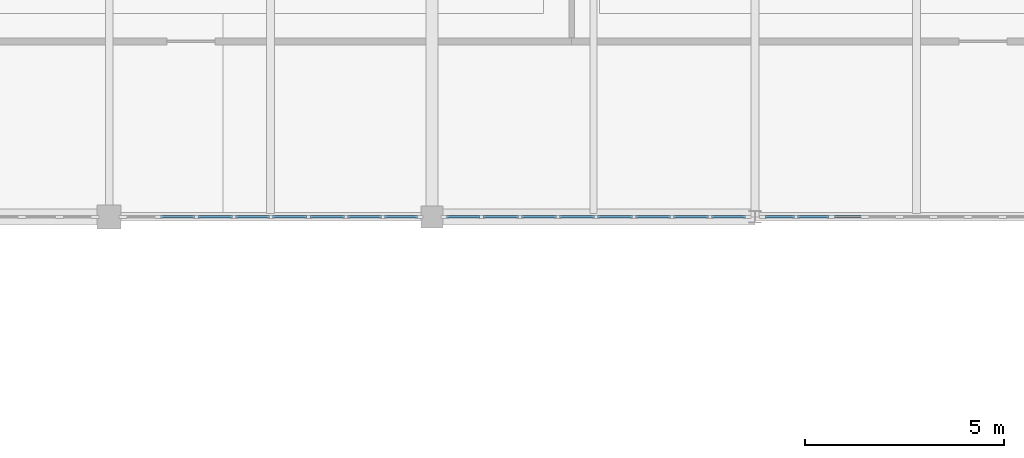
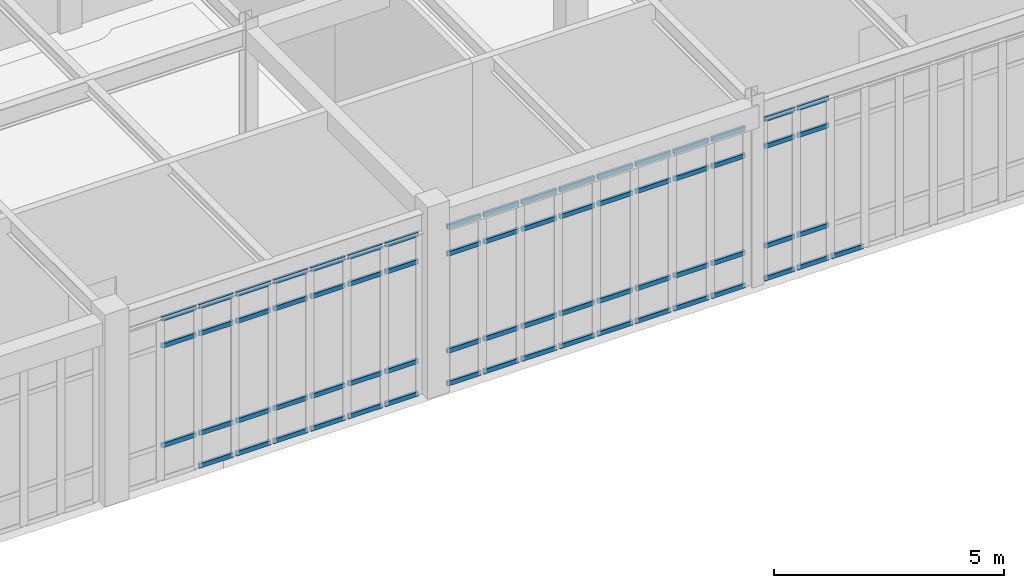
# One storey, part 62 of 107: 68 members, 3 elements without a shape of their own.
"""IFC4 building model written with IfcOpenShell, lengths in metres."""

from ifc_helpers import new_model, si_unit, direction, frame, origin, origin_2d, place, context, subcontext, project, spatial, rectangle, extrude, material, material_profile, profile_set, type_object, element, aggregate, save


model = new_model("IFC4")

# Units and contexts
model_context = context("Model", 3, precision=1e-05, world=origin(), true_north=direction((0.0, 1.0)))
body_context = subcontext(model_context, "Body", "Model", "MODEL_VIEW")
ifc_project = project(units=[si_unit("LENGTHUNIT", "METRE"), si_unit("AREAUNIT", "SQUARE_METRE"), si_unit("VOLUMEUNIT", "CUBIC_METRE"), si_unit("PLANEANGLEUNIT", "RADIAN"), si_unit("MASSUNIT", "GRAM", prefix="KILO")], contexts=[model_context])

# Site, building, storey
site_placement = place(None, origin())
site = spatial("IfcSite", under=ifc_project, at=site_placement, CompositionType="ELEMENT")
building_placement = place(site_placement, origin())
building = spatial("IfcBuilding", under=site, at=building_placement, Name="Tarnveldt Square Police Headquarters", CompositionType="ELEMENT")
storey_placement = place(building_placement, frame((0.0, 0.0, 14.699951171875)))
storey = spatial("IfcBuildingStorey", under=building, at=storey_placement, Name="L03", CompositionType="ELEMENT", Elevation=14.699951171875)

# Curtain wall, members
ifc_material_1 = material(Name="Triple-glazed low-e laminated vision glass", Category="glass")
curtain_wall_type_1 = type_object("IfcCurtainWallType", Name="CW-LB-749x430", PredefinedType="USERDEFINED", material=ifc_material_1)
curtain_wall_1_placement = place(storey_placement, origin())
curtain_wall_1 = element("IfcCurtainWall", 1, at=curtain_wall_1_placement, inside=storey, type_object=curtain_wall_type_1, Name="L03 Curtain Wall CW-L03-122", ObjectType="GLAZED CURTAIN WALL", PredefinedType="USERDEFINED")
ifc_material_2 = material(Name="Thermally broken anodised aluminium 6063-T6", Category="aluminium")
ifc_material_profile = material_profile(ifc_material_2, rectangle(XDim=0.06494140625, YDim=0.1201171875, at=origin_2d()), Name="CW-T65x120")
ifc_profile_set = profile_set([ifc_material_profile], Name="Thermally broken anodised aluminium 6063-T6")
member_type = type_object("IfcMemberType", Name="CWT-65x120", PredefinedType="USERDEFINED", material=ifc_profile_set)
member_1_placement = place(storey_placement, frame((74.189453125, 96.0, 0.900146484375), z_axis=(1.0, 0.0, 0.0), x_axis=(0.0, 1.0, 0.0)))
member_1 = element("IfcMember", 2, at=member_1_placement, type_object=member_type, Name="CW-LB73 transom 2.2", ObjectType="TRANSOM", PredefinedType="USERDEFINED", context=body_context, shape_type="SweptSolid", body=[
    extrude(rectangle(XDim=0.06494140625, YDim=0.1201171875, at=origin_2d()), origin(), (0.0, 0.0, 1.0), 0.86181640625),
])
member_2_placement = place(storey_placement, frame((74.189453125, 96.0, 3.549072265625), z_axis=(1.0, 0.0, 0.0), x_axis=(0.0, 1.0, 0.0)))
member_2 = element("IfcMember", 3, at=member_2_placement, type_object=member_type, Name="CW-LB73 transom 2.3", ObjectType="TRANSOM", PredefinedType="USERDEFINED", context=body_context, shape_type="SweptSolid", body=[
    extrude(rectangle(XDim=0.06494140625, YDim=0.1201171875, at=origin_2d()), origin(), (0.0, 0.0, 1.0), 0.86181640625),
])
member_3_placement = place(storey_placement, frame((74.189453125, 96.0, 4.2666015625), z_axis=(1.0, 0.0, 0.0), x_axis=(0.0, 1.0, 0.0)))
member_3 = element("IfcMember", 4, at=member_3_placement, type_object=member_type, Name="CW-LB73 transom 2.4", ObjectType="TRANSOM", PredefinedType="USERDEFINED", context=body_context, shape_type="SweptSolid", body=[
    extrude(rectangle(XDim=0.06494140625, YDim=0.1201171875, at=origin_2d()), origin(), (0.0, 0.0, 1.0), 0.86181640625),
])
member_4_placement = place(storey_placement, frame((75.126220703125, 96.0, 0.032470703125), z_axis=(1.0, 0.0, 0.0), x_axis=(0.0, 1.0, 0.0)))
member_4 = element("IfcMember", 5, at=member_4_placement, type_object=member_type, Name="CW-LB73 transom 3.1", ObjectType="TRANSOM", PredefinedType="USERDEFINED", context=body_context, shape_type="SweptSolid", body=[
    extrude(rectangle(XDim=0.06494140625, YDim=0.1201171875, at=origin_2d()), origin(), (0.0, 0.0, 1.0), 0.86181640625),
])
member_5_placement = place(storey_placement, frame((75.126220703125, 96.0, 0.900146484375), z_axis=(1.0, 0.0, 0.0), x_axis=(0.0, 1.0, 0.0)))
member_5 = element("IfcMember", 6, at=member_5_placement, type_object=member_type, Name="CW-LB73 transom 3.2", ObjectType="TRANSOM", PredefinedType="USERDEFINED", context=body_context, shape_type="SweptSolid", body=[
    extrude(rectangle(XDim=0.06494140625, YDim=0.1201171875, at=origin_2d()), origin(), (0.0, 0.0, 1.0), 0.86181640625),
])
member_6_placement = place(storey_placement, frame((75.126220703125, 96.0, 3.549072265625), z_axis=(1.0, 0.0, 0.0), x_axis=(0.0, 1.0, 0.0)))
member_6 = element("IfcMember", 7, at=member_6_placement, type_object=member_type, Name="CW-LB73 transom 3.3", ObjectType="TRANSOM", PredefinedType="USERDEFINED", context=body_context, shape_type="SweptSolid", body=[
    extrude(rectangle(XDim=0.06494140625, YDim=0.1201171875, at=origin_2d()), origin(), (0.0, 0.0, 1.0), 0.86181640625),
])
member_7_placement = place(storey_placement, frame((75.126220703125, 96.0, 4.2666015625), z_axis=(1.0, 0.0, 0.0), x_axis=(0.0, 1.0, 0.0)))
member_7 = element("IfcMember", 8, at=member_7_placement, type_object=member_type, Name="CW-LB73 transom 3.4", ObjectType="TRANSOM", PredefinedType="USERDEFINED", context=body_context, shape_type="SweptSolid", body=[
    extrude(rectangle(XDim=0.06494140625, YDim=0.1201171875, at=origin_2d()), origin(), (0.0, 0.0, 1.0), 0.86181640625),
])
member_8_placement = place(storey_placement, frame((76.063232421875, 96.0, 0.032470703125), z_axis=(1.0, 0.0, 0.0), x_axis=(0.0, 1.0, 0.0)))
member_8 = element("IfcMember", 9, at=member_8_placement, type_object=member_type, Name="CW-LB73 transom 4.1", ObjectType="TRANSOM", PredefinedType="USERDEFINED", context=body_context, shape_type="SweptSolid", body=[
    extrude(rectangle(XDim=0.06494140625, YDim=0.1201171875, at=origin_2d()), origin(), (0.0, 0.0, 1.0), 0.86181640625),
])
member_9_placement = place(storey_placement, frame((76.063232421875, 96.0, 0.900146484375), z_axis=(1.0, 0.0, 0.0), x_axis=(0.0, 1.0, 0.0)))
member_9 = element("IfcMember", 10, at=member_9_placement, type_object=member_type, Name="CW-LB73 transom 4.2", ObjectType="TRANSOM", PredefinedType="USERDEFINED", context=body_context, shape_type="SweptSolid", body=[
    extrude(rectangle(XDim=0.06494140625, YDim=0.1201171875, at=origin_2d()), origin(), (0.0, 0.0, 1.0), 0.86181640625),
])
member_10_placement = place(storey_placement, frame((76.063232421875, 96.0, 3.549072265625), z_axis=(1.0, 0.0, 0.0), x_axis=(0.0, 1.0, 0.0)))
member_10 = element("IfcMember", 11, at=member_10_placement, type_object=member_type, Name="CW-LB73 transom 4.3", ObjectType="TRANSOM", PredefinedType="USERDEFINED", context=body_context, shape_type="SweptSolid", body=[
    extrude(rectangle(XDim=0.06494140625, YDim=0.1201171875, at=origin_2d()), origin(), (0.0, 0.0, 1.0), 0.86181640625),
])
member_11_placement = place(storey_placement, frame((76.063232421875, 96.0, 4.2666015625), z_axis=(1.0, 0.0, 0.0), x_axis=(0.0, 1.0, 0.0)))
member_11 = element("IfcMember", 12, at=member_11_placement, type_object=member_type, Name="CW-LB73 transom 4.4", ObjectType="TRANSOM", PredefinedType="USERDEFINED", context=body_context, shape_type="SweptSolid", body=[
    extrude(rectangle(XDim=0.06494140625, YDim=0.1201171875, at=origin_2d()), origin(), (0.0, 0.0, 1.0), 0.86181640625),
])
member_12_placement = place(storey_placement, frame((77.0, 96.0, 0.032470703125), z_axis=(1.0, 0.0, 0.0), x_axis=(0.0, 1.0, 0.0)))
member_12 = element("IfcMember", 13, at=member_12_placement, type_object=member_type, Name="CW-LB73 transom 5.1", ObjectType="TRANSOM", PredefinedType="USERDEFINED", context=body_context, shape_type="SweptSolid", body=[
    extrude(rectangle(XDim=0.06494140625, YDim=0.1201171875, at=origin_2d()), origin(), (0.0, 0.0, 1.0), 0.86181640625),
])
member_13_placement = place(storey_placement, frame((77.0, 96.0, 0.900146484375), z_axis=(1.0, 0.0, 0.0), x_axis=(0.0, 1.0, 0.0)))
member_13 = element("IfcMember", 14, at=member_13_placement, type_object=member_type, Name="CW-LB73 transom 5.2", ObjectType="TRANSOM", PredefinedType="USERDEFINED", context=body_context, shape_type="SweptSolid", body=[
    extrude(rectangle(XDim=0.06494140625, YDim=0.1201171875, at=origin_2d()), origin(), (0.0, 0.0, 1.0), 0.86181640625),
])
member_14_placement = place(storey_placement, frame((77.0, 96.0, 3.549072265625), z_axis=(1.0, 0.0, 0.0), x_axis=(0.0, 1.0, 0.0)))
member_14 = element("IfcMember", 15, at=member_14_placement, type_object=member_type, Name="CW-LB73 transom 5.3", ObjectType="TRANSOM", PredefinedType="USERDEFINED", context=body_context, shape_type="SweptSolid", body=[
    extrude(rectangle(XDim=0.06494140625, YDim=0.1201171875, at=origin_2d()), origin(), (0.0, 0.0, 1.0), 0.86181640625),
])
member_15_placement = place(storey_placement, frame((77.0, 96.0, 4.2666015625), z_axis=(1.0, 0.0, 0.0), x_axis=(0.0, 1.0, 0.0)))
member_15 = element("IfcMember", 16, at=member_15_placement, type_object=member_type, Name="CW-LB73 transom 5.4", ObjectType="TRANSOM", PredefinedType="USERDEFINED", context=body_context, shape_type="SweptSolid", body=[
    extrude(rectangle(XDim=0.06494140625, YDim=0.1201171875, at=origin_2d()), origin(), (0.0, 0.0, 1.0), 0.86181640625),
])
member_16_placement = place(storey_placement, frame((77.936767578125, 96.0, 0.032470703125), z_axis=(1.0, 0.0, 0.0), x_axis=(0.0, 1.0, 0.0)))
member_16 = element("IfcMember", 17, at=member_16_placement, type_object=member_type, Name="CW-LB73 transom 6.1", ObjectType="TRANSOM", PredefinedType="USERDEFINED", context=body_context, shape_type="SweptSolid", body=[
    extrude(rectangle(XDim=0.06494140625, YDim=0.1201171875, at=origin_2d()), origin(), (0.0, 0.0, 1.0), 0.862060546875),
])
member_17_placement = place(storey_placement, frame((77.936767578125, 96.0, 0.900146484375), z_axis=(1.0, 0.0, 0.0), x_axis=(0.0, 1.0, 0.0)))
member_17 = element("IfcMember", 18, at=member_17_placement, type_object=member_type, Name="CW-LB73 transom 6.2", ObjectType="TRANSOM", PredefinedType="USERDEFINED", context=body_context, shape_type="SweptSolid", body=[
    extrude(rectangle(XDim=0.06494140625, YDim=0.1201171875, at=origin_2d()), origin(), (0.0, 0.0, 1.0), 0.862060546875),
])
member_18_placement = place(storey_placement, frame((77.936767578125, 96.0, 3.549072265625), z_axis=(1.0, 0.0, 0.0), x_axis=(0.0, 1.0, 0.0)))
member_18 = element("IfcMember", 19, at=member_18_placement, type_object=member_type, Name="CW-LB73 transom 6.3", ObjectType="TRANSOM", PredefinedType="USERDEFINED", context=body_context, shape_type="SweptSolid", body=[
    extrude(rectangle(XDim=0.06494140625, YDim=0.1201171875, at=origin_2d()), origin(), (0.0, 0.0, 1.0), 0.862060546875),
])
member_19_placement = place(storey_placement, frame((77.936767578125, 96.0, 4.2666015625), z_axis=(1.0, 0.0, 0.0), x_axis=(0.0, 1.0, 0.0)))
member_19 = element("IfcMember", 20, at=member_19_placement, type_object=member_type, Name="CW-LB73 transom 6.4", ObjectType="TRANSOM", PredefinedType="USERDEFINED", context=body_context, shape_type="SweptSolid", body=[
    extrude(rectangle(XDim=0.06494140625, YDim=0.1201171875, at=origin_2d()), origin(), (0.0, 0.0, 1.0), 0.862060546875),
])
member_20_placement = place(storey_placement, frame((78.873779296875, 96.0, 0.032470703125), z_axis=(1.0, 0.0, 0.0), x_axis=(0.0, 1.0, 0.0)))
member_20 = element("IfcMember", 21, at=member_20_placement, type_object=member_type, Name="CW-LB73 transom 7.1", ObjectType="TRANSOM", PredefinedType="USERDEFINED", context=body_context, shape_type="SweptSolid", body=[
    extrude(rectangle(XDim=0.06494140625, YDim=0.1201171875, at=origin_2d()), origin(), (0.0, 0.0, 1.0), 0.86181640625),
])
member_21_placement = place(storey_placement, frame((78.873779296875, 96.0, 0.900146484375), z_axis=(1.0, 0.0, 0.0), x_axis=(0.0, 1.0, 0.0)))
member_21 = element("IfcMember", 22, at=member_21_placement, type_object=member_type, Name="CW-LB73 transom 7.2", ObjectType="TRANSOM", PredefinedType="USERDEFINED", context=body_context, shape_type="SweptSolid", body=[
    extrude(rectangle(XDim=0.06494140625, YDim=0.1201171875, at=origin_2d()), origin(), (0.0, 0.0, 1.0), 0.86181640625),
])
member_22_placement = place(storey_placement, frame((78.873779296875, 96.0, 3.549072265625), z_axis=(1.0, 0.0, 0.0), x_axis=(0.0, 1.0, 0.0)))
member_22 = element("IfcMember", 23, at=member_22_placement, type_object=member_type, Name="CW-LB73 transom 7.3", ObjectType="TRANSOM", PredefinedType="USERDEFINED", context=body_context, shape_type="SweptSolid", body=[
    extrude(rectangle(XDim=0.06494140625, YDim=0.1201171875, at=origin_2d()), origin(), (0.0, 0.0, 1.0), 0.86181640625),
])
member_23_placement = place(storey_placement, frame((78.873779296875, 96.0, 4.2666015625), z_axis=(1.0, 0.0, 0.0), x_axis=(0.0, 1.0, 0.0)))
member_23 = element("IfcMember", 24, at=member_23_placement, type_object=member_type, Name="CW-LB73 transom 7.4", ObjectType="TRANSOM", PredefinedType="USERDEFINED", context=body_context, shape_type="SweptSolid", body=[
    extrude(rectangle(XDim=0.06494140625, YDim=0.1201171875, at=origin_2d()), origin(), (0.0, 0.0, 1.0), 0.86181640625),
])
member_24_placement = place(storey_placement, frame((79.810546875, 96.0, 0.032470703125), z_axis=(1.0, 0.0, 0.0), x_axis=(0.0, 1.0, 0.0)))
member_24 = element("IfcMember", 25, at=member_24_placement, type_object=member_type, Name="CW-LB73 transom 8.1", ObjectType="TRANSOM", PredefinedType="USERDEFINED", context=body_context, shape_type="SweptSolid", body=[
    extrude(rectangle(XDim=0.06494140625, YDim=0.1201171875, at=origin_2d()), origin(), (0.0, 0.0, 1.0), 0.824462890625),
])
member_25_placement = place(storey_placement, frame((79.810546875, 96.0, 0.900146484375), z_axis=(1.0, 0.0, 0.0), x_axis=(0.0, 1.0, 0.0)))
member_25 = element("IfcMember", 26, at=member_25_placement, type_object=member_type, Name="CW-LB73 transom 8.2", ObjectType="TRANSOM", PredefinedType="USERDEFINED", context=body_context, shape_type="SweptSolid", body=[
    extrude(rectangle(XDim=0.06494140625, YDim=0.1201171875, at=origin_2d()), origin(), (0.0, 0.0, 1.0), 0.824462890625),
])
member_26_placement = place(storey_placement, frame((79.810546875, 96.0, 3.549072265625), z_axis=(1.0, 0.0, 0.0), x_axis=(0.0, 1.0, 0.0)))
member_26 = element("IfcMember", 27, at=member_26_placement, type_object=member_type, Name="CW-LB73 transom 8.3", ObjectType="TRANSOM", PredefinedType="USERDEFINED", context=body_context, shape_type="SweptSolid", body=[
    extrude(rectangle(XDim=0.06494140625, YDim=0.1201171875, at=origin_2d()), origin(), (0.0, 0.0, 1.0), 0.824462890625),
])
member_27_placement = place(storey_placement, frame((79.810546875, 96.0, 4.2666015625), z_axis=(1.0, 0.0, 0.0), x_axis=(0.0, 1.0, 0.0)))
member_27 = element("IfcMember", 28, at=member_27_placement, type_object=member_type, Name="CW-LB73 transom 8.4", ObjectType="TRANSOM", PredefinedType="USERDEFINED", context=body_context, shape_type="SweptSolid", body=[
    extrude(rectangle(XDim=0.06494140625, YDim=0.1201171875, at=origin_2d()), origin(), (0.0, 0.0, 1.0), 0.824462890625),
])
aggregate(curtain_wall_1, [member_1, member_2, member_3, member_4, member_5, member_6, member_7, member_8, member_9, member_10, member_11, member_12, member_13, member_14, member_15, member_16, member_17, member_18, member_19, member_20, member_21, member_22, member_23, member_24, member_25, member_26, member_27])

curtain_wall_type_2 = type_object("IfcCurtainWallType", Name="CW-LB-764x423", PredefinedType="USERDEFINED", material=ifc_material_1)
curtain_wall_2_placement = place(storey_placement, origin())
curtain_wall_2 = element("IfcCurtainWall", 29, at=curtain_wall_2_placement, inside=storey, type_object=curtain_wall_type_2, Name="L03 Curtain Wall CW-L03-123", ObjectType="GLAZED CURTAIN WALL", PredefinedType="USERDEFINED")
member_28_placement = place(storey_placement, frame((81.364990234375, 96.0, 0.032470703125), z_axis=(1.0, 0.0, 0.0), x_axis=(0.0, 1.0, 0.0)))
member_28 = element("IfcMember", 30, at=member_28_placement, type_object=member_type, Name="CW-LB74 transom 1.1", ObjectType="TRANSOM", PredefinedType="USERDEFINED", context=body_context, shape_type="SweptSolid", body=[
    extrude(rectangle(XDim=0.06494140625, YDim=0.1201171875, at=origin_2d()), origin(), (0.0, 0.0, 1.0), 0.842529296875),
])
member_29_placement = place(storey_placement, frame((81.364990234375, 96.0, 0.900146484375), z_axis=(1.0, 0.0, 0.0), x_axis=(0.0, 1.0, 0.0)))
member_29 = element("IfcMember", 31, at=member_29_placement, type_object=member_type, Name="CW-LB74 transom 1.2", ObjectType="TRANSOM", PredefinedType="USERDEFINED", context=body_context, shape_type="SweptSolid", body=[
    extrude(rectangle(XDim=0.06494140625, YDim=0.1201171875, at=origin_2d()), origin(), (0.0, 0.0, 1.0), 0.842529296875),
])
member_30_placement = place(storey_placement, frame((81.364990234375, 96.0, 3.48193359375), z_axis=(1.0, 0.0, 0.0), x_axis=(0.0, 1.0, 0.0)))
member_30 = element("IfcMember", 32, at=member_30_placement, type_object=member_type, Name="CW-LB74 transom 1.3", ObjectType="TRANSOM", PredefinedType="USERDEFINED", context=body_context, shape_type="SweptSolid", body=[
    extrude(rectangle(XDim=0.06494140625, YDim=0.1201171875, at=origin_2d()), origin(), (0.0, 0.0, 1.0), 0.842529296875),
])
member_31_placement = place(storey_placement, frame((81.364990234375, 96.0, 4.199462890625), z_axis=(1.0, 0.0, 0.0), x_axis=(0.0, 1.0, 0.0)))
member_31 = element("IfcMember", 33, at=member_31_placement, type_object=member_type, Name="CW-LB74 transom 1.4", ObjectType="TRANSOM", PredefinedType="USERDEFINED", context=body_context, shape_type="SweptSolid", body=[
    extrude(rectangle(XDim=0.06494140625, YDim=0.1201171875, at=origin_2d()), origin(), (0.0, 0.0, 1.0), 0.842529296875),
])
member_32_placement = place(storey_placement, frame((82.28271484375, 96.0, 0.032470703125), z_axis=(1.0, 0.0, 0.0), x_axis=(0.0, 1.0, 0.0)))
member_32 = element("IfcMember", 34, at=member_32_placement, type_object=member_type, Name="CW-LB74 transom 2.1", ObjectType="TRANSOM", PredefinedType="USERDEFINED", context=body_context, shape_type="SweptSolid", body=[
    extrude(rectangle(XDim=0.06494140625, YDim=0.1201171875, at=origin_2d()), origin(), (0.0, 0.0, 1.0), 0.880126953125),
])
member_33_placement = place(storey_placement, frame((82.28271484375, 96.0, 0.900146484375), z_axis=(1.0, 0.0, 0.0), x_axis=(0.0, 1.0, 0.0)))
member_33 = element("IfcMember", 35, at=member_33_placement, type_object=member_type, Name="CW-LB74 transom 2.2", ObjectType="TRANSOM", PredefinedType="USERDEFINED", context=body_context, shape_type="SweptSolid", body=[
    extrude(rectangle(XDim=0.06494140625, YDim=0.1201171875, at=origin_2d()), origin(), (0.0, 0.0, 1.0), 0.880126953125),
])
member_34_placement = place(storey_placement, frame((82.28271484375, 96.0, 3.48193359375), z_axis=(1.0, 0.0, 0.0), x_axis=(0.0, 1.0, 0.0)))
member_34 = element("IfcMember", 36, at=member_34_placement, type_object=member_type, Name="CW-LB74 transom 2.3", ObjectType="TRANSOM", PredefinedType="USERDEFINED", context=body_context, shape_type="SweptSolid", body=[
    extrude(rectangle(XDim=0.06494140625, YDim=0.1201171875, at=origin_2d()), origin(), (0.0, 0.0, 1.0), 0.880126953125),
])
member_35_placement = place(storey_placement, frame((82.28271484375, 96.0, 4.199462890625), z_axis=(1.0, 0.0, 0.0), x_axis=(0.0, 1.0, 0.0)))
member_35 = element("IfcMember", 37, at=member_35_placement, type_object=member_type, Name="CW-LB74 transom 2.4", ObjectType="TRANSOM", PredefinedType="USERDEFINED", context=body_context, shape_type="SweptSolid", body=[
    extrude(rectangle(XDim=0.06494140625, YDim=0.1201171875, at=origin_2d()), origin(), (0.0, 0.0, 1.0), 0.880126953125),
])
member_36_placement = place(storey_placement, frame((83.23779296875, 96.0, 0.032470703125), z_axis=(1.0, 0.0, 0.0), x_axis=(0.0, 1.0, 0.0)))
member_36 = element("IfcMember", 38, at=member_36_placement, type_object=member_type, Name="CW-LB74 transom 3.1", ObjectType="TRANSOM", PredefinedType="USERDEFINED", context=body_context, shape_type="SweptSolid", body=[
    extrude(rectangle(XDim=0.06494140625, YDim=0.1201171875, at=origin_2d()), origin(), (0.0, 0.0, 1.0), 0.880126953125),
])
member_37_placement = place(storey_placement, frame((83.23779296875, 96.0, 0.900146484375), z_axis=(1.0, 0.0, 0.0), x_axis=(0.0, 1.0, 0.0)))
member_37 = element("IfcMember", 39, at=member_37_placement, type_object=member_type, Name="CW-LB74 transom 3.2", ObjectType="TRANSOM", PredefinedType="USERDEFINED", context=body_context, shape_type="SweptSolid", body=[
    extrude(rectangle(XDim=0.06494140625, YDim=0.1201171875, at=origin_2d()), origin(), (0.0, 0.0, 1.0), 0.880126953125),
])
member_38_placement = place(storey_placement, frame((83.23779296875, 96.0, 3.48193359375), z_axis=(1.0, 0.0, 0.0), x_axis=(0.0, 1.0, 0.0)))
member_38 = element("IfcMember", 40, at=member_38_placement, type_object=member_type, Name="CW-LB74 transom 3.3", ObjectType="TRANSOM", PredefinedType="USERDEFINED", context=body_context, shape_type="SweptSolid", body=[
    extrude(rectangle(XDim=0.06494140625, YDim=0.1201171875, at=origin_2d()), origin(), (0.0, 0.0, 1.0), 0.880126953125),
])
member_39_placement = place(storey_placement, frame((83.23779296875, 96.0, 4.199462890625), z_axis=(1.0, 0.0, 0.0), x_axis=(0.0, 1.0, 0.0)))
member_39 = element("IfcMember", 41, at=member_39_placement, type_object=member_type, Name="CW-LB74 transom 3.4", ObjectType="TRANSOM", PredefinedType="USERDEFINED", context=body_context, shape_type="SweptSolid", body=[
    extrude(rectangle(XDim=0.06494140625, YDim=0.1201171875, at=origin_2d()), origin(), (0.0, 0.0, 1.0), 0.880126953125),
])
member_40_placement = place(storey_placement, frame((84.19287109375, 96.0, 0.032470703125), z_axis=(1.0, 0.0, 0.0), x_axis=(0.0, 1.0, 0.0)))
member_40 = element("IfcMember", 42, at=member_40_placement, type_object=member_type, Name="CW-LB74 transom 4.1", ObjectType="TRANSOM", PredefinedType="USERDEFINED", context=body_context, shape_type="SweptSolid", body=[
    extrude(rectangle(XDim=0.06494140625, YDim=0.1201171875, at=origin_2d()), origin(), (0.0, 0.0, 1.0), 0.880126953125),
])
member_41_placement = place(storey_placement, frame((84.19287109375, 96.0, 0.900146484375), z_axis=(1.0, 0.0, 0.0), x_axis=(0.0, 1.0, 0.0)))
member_41 = element("IfcMember", 43, at=member_41_placement, type_object=member_type, Name="CW-LB74 transom 4.2", ObjectType="TRANSOM", PredefinedType="USERDEFINED", context=body_context, shape_type="SweptSolid", body=[
    extrude(rectangle(XDim=0.06494140625, YDim=0.1201171875, at=origin_2d()), origin(), (0.0, 0.0, 1.0), 0.880126953125),
])
member_42_placement = place(storey_placement, frame((84.19287109375, 96.0, 3.48193359375), z_axis=(1.0, 0.0, 0.0), x_axis=(0.0, 1.0, 0.0)))
member_42 = element("IfcMember", 44, at=member_42_placement, type_object=member_type, Name="CW-LB74 transom 4.3", ObjectType="TRANSOM", PredefinedType="USERDEFINED", context=body_context, shape_type="SweptSolid", body=[
    extrude(rectangle(XDim=0.06494140625, YDim=0.1201171875, at=origin_2d()), origin(), (0.0, 0.0, 1.0), 0.880126953125),
])
member_43_placement = place(storey_placement, frame((84.19287109375, 96.0, 4.199462890625), z_axis=(1.0, 0.0, 0.0), x_axis=(0.0, 1.0, 0.0)))
member_43 = element("IfcMember", 45, at=member_43_placement, type_object=member_type, Name="CW-LB74 transom 4.4", ObjectType="TRANSOM", PredefinedType="USERDEFINED", context=body_context, shape_type="SweptSolid", body=[
    extrude(rectangle(XDim=0.06494140625, YDim=0.1201171875, at=origin_2d()), origin(), (0.0, 0.0, 1.0), 0.880126953125),
])
member_44_placement = place(storey_placement, frame((85.14794921875, 96.0, 0.032470703125), z_axis=(1.0, 0.0, 0.0), x_axis=(0.0, 1.0, 0.0)))
member_44 = element("IfcMember", 46, at=member_44_placement, type_object=member_type, Name="CW-LB74 transom 5.1", ObjectType="TRANSOM", PredefinedType="USERDEFINED", context=body_context, shape_type="SweptSolid", body=[
    extrude(rectangle(XDim=0.06494140625, YDim=0.1201171875, at=origin_2d()), origin(), (0.0, 0.0, 1.0), 0.880126953125),
])
member_45_placement = place(storey_placement, frame((85.14794921875, 96.0, 0.900146484375), z_axis=(1.0, 0.0, 0.0), x_axis=(0.0, 1.0, 0.0)))
member_45 = element("IfcMember", 47, at=member_45_placement, type_object=member_type, Name="CW-LB74 transom 5.2", ObjectType="TRANSOM", PredefinedType="USERDEFINED", context=body_context, shape_type="SweptSolid", body=[
    extrude(rectangle(XDim=0.06494140625, YDim=0.1201171875, at=origin_2d()), origin(), (0.0, 0.0, 1.0), 0.880126953125),
])
member_46_placement = place(storey_placement, frame((85.14794921875, 96.0, 3.48193359375), z_axis=(1.0, 0.0, 0.0), x_axis=(0.0, 1.0, 0.0)))
member_46 = element("IfcMember", 48, at=member_46_placement, type_object=member_type, Name="CW-LB74 transom 5.3", ObjectType="TRANSOM", PredefinedType="USERDEFINED", context=body_context, shape_type="SweptSolid", body=[
    extrude(rectangle(XDim=0.06494140625, YDim=0.1201171875, at=origin_2d()), origin(), (0.0, 0.0, 1.0), 0.880126953125),
])
member_47_placement = place(storey_placement, frame((85.14794921875, 96.0, 4.199462890625), z_axis=(1.0, 0.0, 0.0), x_axis=(0.0, 1.0, 0.0)))
member_47 = element("IfcMember", 49, at=member_47_placement, type_object=member_type, Name="CW-LB74 transom 5.4", ObjectType="TRANSOM", PredefinedType="USERDEFINED", context=body_context, shape_type="SweptSolid", body=[
    extrude(rectangle(XDim=0.06494140625, YDim=0.1201171875, at=origin_2d()), origin(), (0.0, 0.0, 1.0), 0.880126953125),
])
member_48_placement = place(storey_placement, frame((86.10302734375, 96.0, 0.032470703125), z_axis=(1.0, 0.0, 0.0), x_axis=(0.0, 1.0, 0.0)))
member_48 = element("IfcMember", 50, at=member_48_placement, type_object=member_type, Name="CW-LB74 transom 6.1", ObjectType="TRANSOM", PredefinedType="USERDEFINED", context=body_context, shape_type="SweptSolid", body=[
    extrude(rectangle(XDim=0.06494140625, YDim=0.1201171875, at=origin_2d()), origin(), (0.0, 0.0, 1.0), 0.880126953125),
])
member_49_placement = place(storey_placement, frame((86.10302734375, 96.0, 0.900146484375), z_axis=(1.0, 0.0, 0.0), x_axis=(0.0, 1.0, 0.0)))
member_49 = element("IfcMember", 51, at=member_49_placement, type_object=member_type, Name="CW-LB74 transom 6.2", ObjectType="TRANSOM", PredefinedType="USERDEFINED", context=body_context, shape_type="SweptSolid", body=[
    extrude(rectangle(XDim=0.06494140625, YDim=0.1201171875, at=origin_2d()), origin(), (0.0, 0.0, 1.0), 0.880126953125),
])
member_50_placement = place(storey_placement, frame((86.10302734375, 96.0, 3.48193359375), z_axis=(1.0, 0.0, 0.0), x_axis=(0.0, 1.0, 0.0)))
member_50 = element("IfcMember", 52, at=member_50_placement, type_object=member_type, Name="CW-LB74 transom 6.3", ObjectType="TRANSOM", PredefinedType="USERDEFINED", context=body_context, shape_type="SweptSolid", body=[
    extrude(rectangle(XDim=0.06494140625, YDim=0.1201171875, at=origin_2d()), origin(), (0.0, 0.0, 1.0), 0.880126953125),
])
member_51_placement = place(storey_placement, frame((86.10302734375, 96.0, 4.199462890625), z_axis=(1.0, 0.0, 0.0), x_axis=(0.0, 1.0, 0.0)))
member_51 = element("IfcMember", 53, at=member_51_placement, type_object=member_type, Name="CW-LB74 transom 6.4", ObjectType="TRANSOM", PredefinedType="USERDEFINED", context=body_context, shape_type="SweptSolid", body=[
    extrude(rectangle(XDim=0.06494140625, YDim=0.1201171875, at=origin_2d()), origin(), (0.0, 0.0, 1.0), 0.880126953125),
])
member_52_placement = place(storey_placement, frame((87.058349609375, 96.0, 0.032470703125), z_axis=(1.0, 0.0, 0.0), x_axis=(0.0, 1.0, 0.0)))
member_52 = element("IfcMember", 54, at=member_52_placement, type_object=member_type, Name="CW-LB74 transom 7.1", ObjectType="TRANSOM", PredefinedType="USERDEFINED", context=body_context, shape_type="SweptSolid", body=[
    extrude(rectangle(XDim=0.06494140625, YDim=0.1201171875, at=origin_2d()), origin(), (0.0, 0.0, 1.0), 0.880126953125),
])
member_53_placement = place(storey_placement, frame((87.058349609375, 96.0, 0.900146484375), z_axis=(1.0, 0.0, 0.0), x_axis=(0.0, 1.0, 0.0)))
member_53 = element("IfcMember", 55, at=member_53_placement, type_object=member_type, Name="CW-LB74 transom 7.2", ObjectType="TRANSOM", PredefinedType="USERDEFINED", context=body_context, shape_type="SweptSolid", body=[
    extrude(rectangle(XDim=0.06494140625, YDim=0.1201171875, at=origin_2d()), origin(), (0.0, 0.0, 1.0), 0.880126953125),
])
member_54_placement = place(storey_placement, frame((87.058349609375, 96.0, 3.48193359375), z_axis=(1.0, 0.0, 0.0), x_axis=(0.0, 1.0, 0.0)))
member_54 = element("IfcMember", 56, at=member_54_placement, type_object=member_type, Name="CW-LB74 transom 7.3", ObjectType="TRANSOM", PredefinedType="USERDEFINED", context=body_context, shape_type="SweptSolid", body=[
    extrude(rectangle(XDim=0.06494140625, YDim=0.1201171875, at=origin_2d()), origin(), (0.0, 0.0, 1.0), 0.880126953125),
])
member_55_placement = place(storey_placement, frame((87.058349609375, 96.0, 4.199462890625), z_axis=(1.0, 0.0, 0.0), x_axis=(0.0, 1.0, 0.0)))
member_55 = element("IfcMember", 57, at=member_55_placement, type_object=member_type, Name="CW-LB74 transom 7.4", ObjectType="TRANSOM", PredefinedType="USERDEFINED", context=body_context, shape_type="SweptSolid", body=[
    extrude(rectangle(XDim=0.06494140625, YDim=0.1201171875, at=origin_2d()), origin(), (0.0, 0.0, 1.0), 0.880126953125),
])
member_56_placement = place(storey_placement, frame((88.013427734375, 96.0, 0.032470703125), z_axis=(1.0, 0.0, 0.0), x_axis=(0.0, 1.0, 0.0)))
member_56 = element("IfcMember", 58, at=member_56_placement, type_object=member_type, Name="CW-LB74 transom 8.1", ObjectType="TRANSOM", PredefinedType="USERDEFINED", context=body_context, shape_type="SweptSolid", body=[
    extrude(rectangle(XDim=0.06494140625, YDim=0.1201171875, at=origin_2d()), origin(), (0.0, 0.0, 1.0), 0.842529296875),
])
member_57_placement = place(storey_placement, frame((88.013427734375, 96.0, 0.900146484375), z_axis=(1.0, 0.0, 0.0), x_axis=(0.0, 1.0, 0.0)))
member_57 = element("IfcMember", 59, at=member_57_placement, type_object=member_type, Name="CW-LB74 transom 8.2", ObjectType="TRANSOM", PredefinedType="USERDEFINED", context=body_context, shape_type="SweptSolid", body=[
    extrude(rectangle(XDim=0.06494140625, YDim=0.1201171875, at=origin_2d()), origin(), (0.0, 0.0, 1.0), 0.842529296875),
])
member_58_placement = place(storey_placement, frame((88.013427734375, 96.0, 3.48193359375), z_axis=(1.0, 0.0, 0.0), x_axis=(0.0, 1.0, 0.0)))
member_58 = element("IfcMember", 60, at=member_58_placement, type_object=member_type, Name="CW-LB74 transom 8.3", ObjectType="TRANSOM", PredefinedType="USERDEFINED", context=body_context, shape_type="SweptSolid", body=[
    extrude(rectangle(XDim=0.06494140625, YDim=0.1201171875, at=origin_2d()), origin(), (0.0, 0.0, 1.0), 0.842529296875),
])
member_59_placement = place(storey_placement, frame((88.013427734375, 96.0, 4.199462890625), z_axis=(1.0, 0.0, 0.0), x_axis=(0.0, 1.0, 0.0)))
member_59 = element("IfcMember", 61, at=member_59_placement, type_object=member_type, Name="CW-LB74 transom 8.4", ObjectType="TRANSOM", PredefinedType="USERDEFINED", context=body_context, shape_type="SweptSolid", body=[
    extrude(rectangle(XDim=0.06494140625, YDim=0.1201171875, at=origin_2d()), origin(), (0.0, 0.0, 1.0), 0.842529296875),
])
aggregate(curtain_wall_2, [member_28, member_29, member_30, member_31, member_32, member_33, member_34, member_35, member_36, member_37, member_38, member_39, member_40, member_41, member_42, member_43, member_44, member_45, member_46, member_47, member_48, member_49, member_50, member_51, member_52, member_53, member_54, member_55, member_56, member_57, member_58, member_59])

curtain_wall_type_3 = type_object("IfcCurtainWallType", Name="CW-LB-776x430", PredefinedType="USERDEFINED", material=ifc_material_1)
curtain_wall_3_placement = place(storey_placement, origin())
curtain_wall_3 = element("IfcCurtainWall", 62, at=curtain_wall_3_placement, inside=storey, type_object=curtain_wall_type_3, Name="L03 Curtain Wall CW-L03-124", ObjectType="GLAZED CURTAIN WALL", PredefinedType="USERDEFINED")
member_60_placement = place(storey_placement, frame((89.343994140625, 96.0, 0.032470703125), z_axis=(1.0, 0.0, 0.0), x_axis=(0.0, 1.0, 0.0)))
member_60 = element("IfcMember", 63, at=member_60_placement, type_object=member_type, Name="CW-LB75 transom 1.1", ObjectType="TRANSOM", PredefinedType="USERDEFINED", context=body_context, shape_type="SweptSolid", body=[
    extrude(rectangle(XDim=0.06494140625, YDim=0.1201171875, at=origin_2d()), origin(), (0.0, 0.0, 1.0), 0.75),
])
member_61_placement = place(storey_placement, frame((89.343994140625, 96.0, 0.900146484375), z_axis=(1.0, 0.0, 0.0), x_axis=(0.0, 1.0, 0.0)))
member_61 = element("IfcMember", 64, at=member_61_placement, type_object=member_type, Name="CW-LB75 transom 1.2", ObjectType="TRANSOM", PredefinedType="USERDEFINED", context=body_context, shape_type="SweptSolid", body=[
    extrude(rectangle(XDim=0.06494140625, YDim=0.1201171875, at=origin_2d()), origin(), (0.0, 0.0, 1.0), 0.75),
])
member_62_placement = place(storey_placement, frame((89.343994140625, 96.0, 3.549072265625), z_axis=(1.0, 0.0, 0.0), x_axis=(0.0, 1.0, 0.0)))
member_62 = element("IfcMember", 65, at=member_62_placement, type_object=member_type, Name="CW-LB75 transom 1.3", ObjectType="TRANSOM", PredefinedType="USERDEFINED", context=body_context, shape_type="SweptSolid", body=[
    extrude(rectangle(XDim=0.06494140625, YDim=0.1201171875, at=origin_2d()), origin(), (0.0, 0.0, 1.0), 0.75),
])
member_63_placement = place(storey_placement, frame((89.343994140625, 96.0, 4.2666015625), z_axis=(1.0, 0.0, 0.0), x_axis=(0.0, 1.0, 0.0)))
member_63 = element("IfcMember", 66, at=member_63_placement, type_object=member_type, Name="CW-LB75 transom 1.4", ObjectType="TRANSOM", PredefinedType="USERDEFINED", context=body_context, shape_type="SweptSolid", body=[
    extrude(rectangle(XDim=0.06494140625, YDim=0.1201171875, at=origin_2d()), origin(), (0.0, 0.0, 1.0), 0.75),
])
member_64_placement = place(storey_placement, frame((90.1689453125, 96.0, 0.032470703125), z_axis=(1.0, 0.0, 0.0), x_axis=(0.0, 1.0, 0.0)))
member_64 = element("IfcMember", 67, at=member_64_placement, type_object=member_type, Name="CW-LB75 transom 2.1", ObjectType="TRANSOM", PredefinedType="USERDEFINED", context=body_context, shape_type="SweptSolid", body=[
    extrude(rectangle(XDim=0.06494140625, YDim=0.1201171875, at=origin_2d()), origin(), (0.0, 0.0, 1.0), 0.787353515625),
])
member_65_placement = place(storey_placement, frame((90.1689453125, 96.0, 0.900146484375), z_axis=(1.0, 0.0, 0.0), x_axis=(0.0, 1.0, 0.0)))
member_65 = element("IfcMember", 68, at=member_65_placement, type_object=member_type, Name="CW-LB75 transom 2.2", ObjectType="TRANSOM", PredefinedType="USERDEFINED", context=body_context, shape_type="SweptSolid", body=[
    extrude(rectangle(XDim=0.06494140625, YDim=0.1201171875, at=origin_2d()), origin(), (0.0, 0.0, 1.0), 0.787353515625),
])
member_66_placement = place(storey_placement, frame((90.1689453125, 96.0, 3.549072265625), z_axis=(1.0, 0.0, 0.0), x_axis=(0.0, 1.0, 0.0)))
member_66 = element("IfcMember", 69, at=member_66_placement, type_object=member_type, Name="CW-LB75 transom 2.3", ObjectType="TRANSOM", PredefinedType="USERDEFINED", context=body_context, shape_type="SweptSolid", body=[
    extrude(rectangle(XDim=0.06494140625, YDim=0.1201171875, at=origin_2d()), origin(), (0.0, 0.0, 1.0), 0.787353515625),
])
member_67_placement = place(storey_placement, frame((90.1689453125, 96.0, 4.2666015625), z_axis=(1.0, 0.0, 0.0), x_axis=(0.0, 1.0, 0.0)))
member_67 = element("IfcMember", 70, at=member_67_placement, type_object=member_type, Name="CW-LB75 transom 2.4", ObjectType="TRANSOM", PredefinedType="USERDEFINED", context=body_context, shape_type="SweptSolid", body=[
    extrude(rectangle(XDim=0.06494140625, YDim=0.1201171875, at=origin_2d()), origin(), (0.0, 0.0, 1.0), 0.787353515625),
])
member_68_placement = place(storey_placement, frame((91.031494140625, 96.0, 0.032470703125), z_axis=(1.0, 0.0, 0.0), x_axis=(0.0, 1.0, 0.0)))
member_68 = element("IfcMember", 71, at=member_68_placement, type_object=member_type, Name="CW-LB75 transom 3.1", ObjectType="TRANSOM", PredefinedType="USERDEFINED", context=body_context, shape_type="SweptSolid", body=[
    extrude(rectangle(XDim=0.06494140625, YDim=0.1201171875, at=origin_2d()), origin(), (0.0, 0.0, 1.0), 0.787353515625),
])
aggregate(curtain_wall_3, [member_60, member_61, member_62, member_63, member_64, member_65, member_66, member_67, member_68])

save(model, "model.ifc")
